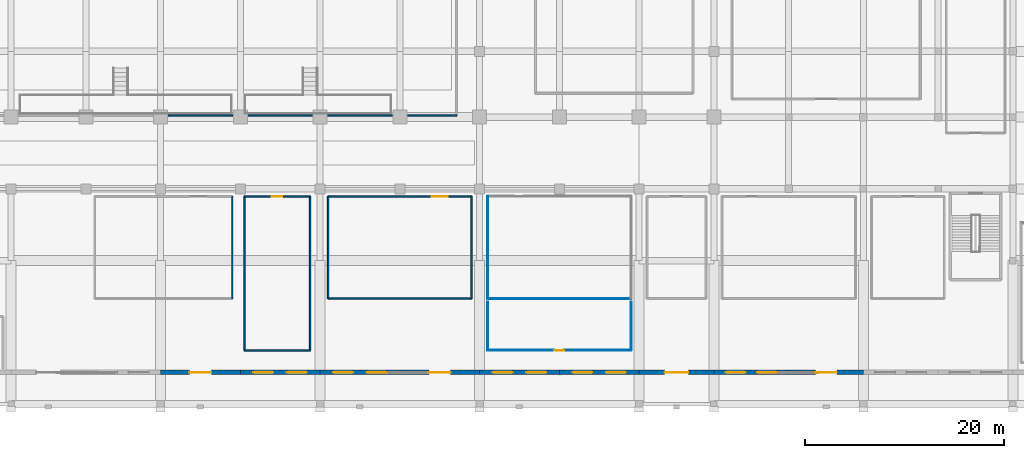
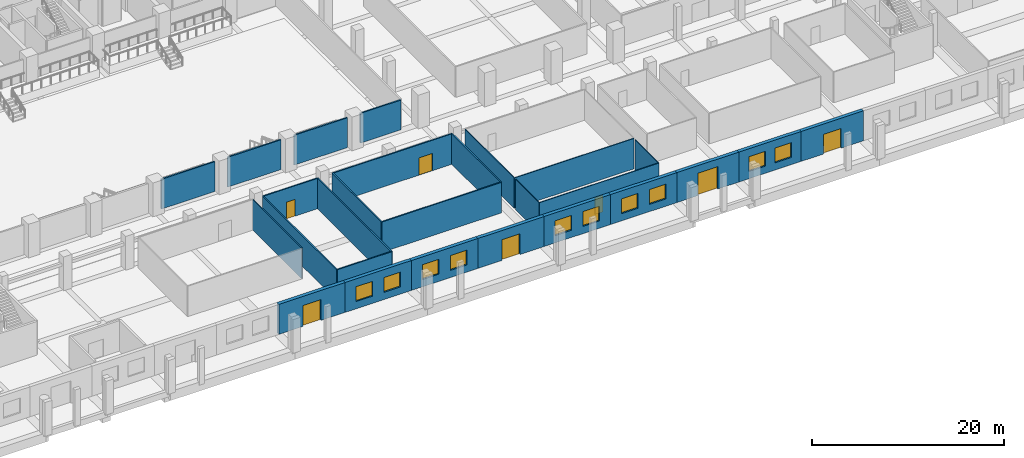
# One storey, part 13 of 33: 27 walls, 10 windows, 7 doors, 17 openings.
"""IFC4 building model written with IfcOpenShell, lengths in metres."""

from ifc_helpers import new_model, si_unit, direction, frame, frame_2d, origin, place, context, subcontext, project, spatial, rectangle, extrude, material, layer, layer_set, type_object, element, fill, save


model = new_model("IFC4")

# Units and contexts
model_context = context("Model", 3, precision=1e-05, world=origin(), true_north=direction((0.0, 1.0)))
body_context = subcontext(model_context, "Body", "Model", "MODEL_VIEW")
ifc_project = project(units=[si_unit("LENGTHUNIT", "METRE"), si_unit("AREAUNIT", "SQUARE_METRE"), si_unit("VOLUMEUNIT", "CUBIC_METRE"), si_unit("PLANEANGLEUNIT", "RADIAN"), si_unit("MASSUNIT", "GRAM", prefix="KILO")], contexts=[model_context])

# Site, building, storey
site_placement = place(None, origin())
site = spatial("IfcSite", under=ifc_project, at=site_placement, CompositionType="ELEMENT")
building_placement = place(site_placement, origin())
building = spatial("IfcBuilding", under=site, at=building_placement, Name="Akrevak Sports Hall", CompositionType="ELEMENT")
storey_placement = place(building_placement, origin())
storey = spatial("IfcBuildingStorey", under=building, at=storey_placement, Name="L00", CompositionType="ELEMENT", Elevation=0.0)

# Wall, opening, door
ifc_material_1 = material(Name="Limestone Ashlar", Category="stone")
ifc_layer_1 = layer(ifc_material_1, 0.090087890625, Name="Limestone Ashlar")
ifc_material_2 = material(Name="Mineral Wool Thermal Insulation", Category="insulation")
ifc_layer_2 = layer(ifc_material_2, 0.110107421875, Name="Mineral Wool Thermal Insulation")
ifc_material_3 = material(Name="Concrete C40/50", Category="concrete")
ifc_layer_3 = layer(ifc_material_3, 0.219970703125, Name="Concrete C40/50")
ifc_layer_set_1 = layer_set([ifc_layer_1, ifc_layer_2, ifc_layer_3], Name="Limestone Ashlar / Mineral Wool Thermal Insulation / Concrete C40/50")
wall_type_1 = type_object("IfcWallType", Name="ARC-WL-EXT-420", PredefinedType="SOLIDWALL", material=ifc_layer_set_1)
wall_1_placement = place(storey_placement, frame((60.0, 3.199951171875, 0.0), z_axis=(0.0, 0.0, 1.0), x_axis=(1.0, 0.0, 0.0)))
wall_1 = element("IfcWall", 1, at=wall_1_placement, inside=storey, type_object=wall_type_1, Name="South Street Arcade Limestone Wall L00-S07", PredefinedType="SOLIDWALL", context=body_context, shape_type="SweptSolid", body=[
    extrude(rectangle(XDim=8.0, YDim=0.419921875, at=frame_2d((4.0, 0.0))), origin(), (0.0, 0.0, 1.0), 3.820068359375),
])
opening_1_placement = place(wall_1_placement, frame((2.89990234375, 0.0, 0.0)))
opening_1 = element("IfcOpeningElement", 2, at=opening_1_placement, cuts=wall_1, Name="Opening ED-02", PredefinedType="OPENING", context=body_context, shape_type="SweptSolid", body=[
    extrude(rectangle(XDim=2.199951171875, YDim=2.64990234375, at=frame_2d((1.10009765625, 1.324951171875))), frame((0.0, 0.221923828125, 0.0), z_axis=(0.0, -1.0, 0.0), x_axis=(1.0, 0.0, 0.0)), (0.0, 0.0, 1.0), 0.44384765625),
])
ifc_material_4 = material(Name="Anodized Bronze Aluminium & Tempered Glass", Category="aluminium")
door_type_1 = type_object("IfcDoorType", Name="ARC-DR-EXT-220x245", OperationType="DOUBLE_DOOR_SINGLE_SWING", PredefinedType="DOOR", material=ifc_material_4)
door_1_placement = place(opening_1_placement, frame((2.199951171875, 0.0, 0.0), z_axis=(0.0, 0.0, 1.0), x_axis=(-1.0, 0.0, 0.0)))
door_1 = element("IfcDoor", 3, at=door_1_placement, inside=storey, type_object=door_type_1, Name="Sports Clinic Arcade Entrance ED03", OperationType="DOUBLE_DOOR_SINGLE_SWING", OverallHeight=2.64990234375, OverallWidth=2.199951171875, PredefinedType="DOOR", context=body_context, shape_type="SweptSolid", body=[
    extrude(rectangle(XDim=2.199951171875, YDim=2.64990234375, at=frame_2d((1.10009765625, 1.324951171875))), frame((0.0, 0.02490234375, 0.0), z_axis=(0.0, -1.0, 0.0), x_axis=(1.0, 0.0, 0.0)), (0.0, 0.0, 1.0), 0.050048828125),
])
fill(opening_1, door_1)

# Wall, openings, windows
wall_2_placement = place(storey_placement, frame((68.0, 3.199951171875, 0.0), z_axis=(0.0, 0.0, 1.0), x_axis=(1.0, 0.0, 0.0)))
wall_2 = element("IfcWall", 4, at=wall_2_placement, inside=storey, type_object=wall_type_1, Name="South Street Arcade Limestone Wall L00-S08", PredefinedType="SOLIDWALL", context=body_context, shape_type="SweptSolid", body=[
    extrude(rectangle(XDim=8.0, YDim=0.419921875, at=frame_2d((4.0, 0.0))), origin(), (0.0, 0.0, 1.0), 3.820068359375),
])
opening_2_placement = place(wall_2_placement, frame((1.320068359375, 0.0, 0.919921875)))
opening_2 = element("IfcOpeningElement", 5, at=opening_2_placement, cuts=wall_2, Name="Opening WN-28", PredefinedType="OPENING", context=body_context, shape_type="SweptSolid", body=[
    extrude(rectangle(XDim=2.0, YDim=1.889892578125, at=frame_2d((1.0, 0.94482421875))), frame((0.0, 0.221923828125, 0.0), z_axis=(0.0, -1.0, 0.0), x_axis=(1.0, 0.0, 0.0)), (0.0, 0.0, 1.0), 0.44384765625),
])
opening_3_placement = place(wall_2_placement, frame((4.679931640625, 0.0, 0.919921875)))
opening_3 = element("IfcOpeningElement", 6, at=opening_3_placement, cuts=wall_2, Name="Opening WN-28", PredefinedType="OPENING", context=body_context, shape_type="SweptSolid", body=[
    extrude(rectangle(XDim=2.0, YDim=1.889892578125, at=frame_2d((1.0, 0.94482421875))), frame((0.0, 0.221923828125, 0.0), z_axis=(0.0, -1.0, 0.0), x_axis=(1.0, 0.0, 0.0)), (0.0, 0.0, 1.0), 0.44384765625),
])
ifc_material_5 = material(Name="Thermally Broken Bronze Frame & Double Low-E Glass", Category="glass")
window_type = type_object("IfcWindowType", Name="ARC-WIN-SZ-2000x1890", PartitioningType="SINGLE_PANEL", PredefinedType="WINDOW", material=ifc_material_5)
window_1_placement = place(opening_2_placement, origin())
window_1 = element("IfcWindow", 7, at=window_1_placement, inside=storey, type_object=window_type, Name="Beaux-Arts Facade Window WIN-L00-S08-1", OverallHeight=1.889892578125, OverallWidth=2.0, PartitioningType="SINGLE_PANEL", PredefinedType="WINDOW", context=body_context, shape_type="SweptSolid", body=[
    extrude(rectangle(XDim=2.0, YDim=1.889892578125, at=frame_2d((1.0, 0.94482421875))), frame((0.0, 0.030029296875, 0.0), z_axis=(0.0, -1.0, 0.0), x_axis=(1.0, 0.0, 0.0)), (0.0, 0.0, 1.0), 0.06005859375),
])
fill(opening_2, window_1)
window_2_placement = place(opening_3_placement, origin())
window_2 = element("IfcWindow", 8, at=window_2_placement, inside=storey, type_object=window_type, Name="Beaux-Arts Facade Window WIN-L00-S08-2", OverallHeight=1.889892578125, OverallWidth=2.0, PartitioningType="SINGLE_PANEL", PredefinedType="WINDOW", context=body_context, shape_type="SweptSolid", body=[
    extrude(rectangle(XDim=2.0, YDim=1.889892578125, at=frame_2d((1.0, 0.94482421875))), frame((0.0, 0.030029296875, 0.0), z_axis=(0.0, -1.0, 0.0), x_axis=(1.0, 0.0, 0.0)), (0.0, 0.0, 1.0), 0.06005859375),
])
fill(opening_3, window_2)

wall_3_placement = place(storey_placement, frame((76.0, 3.199951171875, 0.0), z_axis=(0.0, 0.0, 1.0), x_axis=(1.0, 0.0, 0.0)))
wall_3 = element("IfcWall", 9, at=wall_3_placement, inside=storey, type_object=wall_type_1, Name="South Street Arcade Limestone Wall L00-S09", PredefinedType="SOLIDWALL", context=body_context, shape_type="SweptSolid", body=[
    extrude(rectangle(XDim=8.0, YDim=0.419921875, at=frame_2d((4.0, 0.0))), origin(), (0.0, 0.0, 1.0), 3.820068359375),
])
opening_4_placement = place(wall_3_placement, frame((1.320068359375, 0.0, 0.919921875)))
opening_4 = element("IfcOpeningElement", 10, at=opening_4_placement, cuts=wall_3, Name="Opening WN-28", PredefinedType="OPENING", context=body_context, shape_type="SweptSolid", body=[
    extrude(rectangle(XDim=2.0, YDim=1.889892578125, at=frame_2d((1.0, 0.94482421875))), frame((0.0, 0.221923828125, 0.0), z_axis=(0.0, -1.0, 0.0), x_axis=(1.0, 0.0, 0.0)), (0.0, 0.0, 1.0), 0.44384765625),
])
opening_5_placement = place(wall_3_placement, frame((4.679931640625, 0.0, 0.919921875)))
opening_5 = element("IfcOpeningElement", 11, at=opening_5_placement, cuts=wall_3, Name="Opening WN-28", PredefinedType="OPENING", context=body_context, shape_type="SweptSolid", body=[
    extrude(rectangle(XDim=2.0, YDim=1.889892578125, at=frame_2d((1.0, 0.94482421875))), frame((0.0, 0.221923828125, 0.0), z_axis=(0.0, -1.0, 0.0), x_axis=(1.0, 0.0, 0.0)), (0.0, 0.0, 1.0), 0.44384765625),
])
window_3_placement = place(opening_4_placement, origin())
window_3 = element("IfcWindow", 12, at=window_3_placement, inside=storey, type_object=window_type, Name="Beaux-Arts Facade Window WIN-L00-S09-1", OverallHeight=1.889892578125, OverallWidth=2.0, PartitioningType="SINGLE_PANEL", PredefinedType="WINDOW", context=body_context, shape_type="SweptSolid", body=[
    extrude(rectangle(XDim=2.0, YDim=1.889892578125, at=frame_2d((1.0, 0.94482421875))), frame((0.0, 0.030029296875, 0.0), z_axis=(0.0, -1.0, 0.0), x_axis=(1.0, 0.0, 0.0)), (0.0, 0.0, 1.0), 0.06005859375),
])
fill(opening_4, window_3)
window_4_placement = place(opening_5_placement, origin())
window_4 = element("IfcWindow", 13, at=window_4_placement, inside=storey, type_object=window_type, Name="Beaux-Arts Facade Window WIN-L00-S09-2", OverallHeight=1.889892578125, OverallWidth=2.0, PartitioningType="SINGLE_PANEL", PredefinedType="WINDOW", context=body_context, shape_type="SweptSolid", body=[
    extrude(rectangle(XDim=2.0, YDim=1.889892578125, at=frame_2d((1.0, 0.94482421875))), frame((0.0, 0.030029296875, 0.0), z_axis=(0.0, -1.0, 0.0), x_axis=(1.0, 0.0, 0.0)), (0.0, 0.0, 1.0), 0.06005859375),
])
fill(opening_5, window_4)

# Wall, opening, door
wall_4_placement = place(storey_placement, frame((84.0, 3.199951171875, 0.0), z_axis=(0.0, 0.0, 1.0), x_axis=(1.0, 0.0, 0.0)))
wall_4 = element("IfcWall", 14, at=wall_4_placement, inside=storey, type_object=wall_type_1, Name="South Street Arcade Limestone Wall L00-S10", PredefinedType="SOLIDWALL", context=body_context, shape_type="SweptSolid", body=[
    extrude(rectangle(XDim=8.0, YDim=0.419921875, at=frame_2d((4.0, 0.0))), origin(), (0.0, 0.0, 1.0), 3.820068359375),
])
opening_6_placement = place(wall_4_placement, frame((2.89990234375, 0.0, 0.0)))
opening_6 = element("IfcOpeningElement", 15, at=opening_6_placement, cuts=wall_4, Name="Opening ED-02", PredefinedType="OPENING", context=body_context, shape_type="SweptSolid", body=[
    extrude(rectangle(XDim=2.199951171875, YDim=2.64990234375, at=frame_2d((1.10009765625, 1.324951171875))), frame((0.0, 0.221923828125, 0.0), z_axis=(0.0, -1.0, 0.0), x_axis=(1.0, 0.0, 0.0)), (0.0, 0.0, 1.0), 0.44384765625),
])
door_2_placement = place(opening_6_placement, frame((2.199951171875, 0.0, 0.0), z_axis=(0.0, 0.0, 1.0), x_axis=(-1.0, 0.0, 0.0)))
door_2 = element("IfcDoor", 16, at=door_2_placement, inside=storey, type_object=door_type_1, Name="Arena South Arcade Exit ED04", OperationType="DOUBLE_DOOR_SINGLE_SWING", OverallHeight=2.64990234375, OverallWidth=2.199951171875, PredefinedType="DOOR", context=body_context, shape_type="SweptSolid", body=[
    extrude(rectangle(XDim=2.199951171875, YDim=2.64990234375, at=frame_2d((1.10009765625, 1.324951171875))), frame((0.0, 0.02490234375, 0.0), z_axis=(0.0, -1.0, 0.0), x_axis=(1.0, 0.0, 0.0)), (0.0, 0.0, 1.0), 0.050048828125),
])
fill(opening_6, door_2)

# Wall, openings, windows
wall_5_placement = place(storey_placement, frame((92.0, 3.199951171875, 0.0), z_axis=(0.0, 0.0, 1.0), x_axis=(1.0, 0.0, 0.0)))
wall_5 = element("IfcWall", 17, at=wall_5_placement, inside=storey, type_object=wall_type_1, Name="South Street Arcade Limestone Wall L00-S11", PredefinedType="SOLIDWALL", context=body_context, shape_type="SweptSolid", body=[
    extrude(rectangle(XDim=8.0, YDim=0.419921875, at=frame_2d((4.0, 0.0))), origin(), (0.0, 0.0, 1.0), 3.820068359375),
])
opening_7_placement = place(wall_5_placement, frame((1.320068359375, 0.0, 0.919921875)))
opening_7 = element("IfcOpeningElement", 18, at=opening_7_placement, cuts=wall_5, Name="Opening WN-28", PredefinedType="OPENING", context=body_context, shape_type="SweptSolid", body=[
    extrude(rectangle(XDim=2.0, YDim=1.889892578125, at=frame_2d((1.0, 0.94482421875))), frame((0.0, 0.221923828125, 0.0), z_axis=(0.0, -1.0, 0.0), x_axis=(1.0, 0.0, 0.0)), (0.0, 0.0, 1.0), 0.44384765625),
])
opening_8_placement = place(wall_5_placement, frame((4.679931640625, 0.0, 0.919921875)))
opening_8 = element("IfcOpeningElement", 19, at=opening_8_placement, cuts=wall_5, Name="Opening WN-28", PredefinedType="OPENING", context=body_context, shape_type="SweptSolid", body=[
    extrude(rectangle(XDim=2.0, YDim=1.889892578125, at=frame_2d((1.0, 0.94482421875))), frame((0.0, 0.221923828125, 0.0), z_axis=(0.0, -1.0, 0.0), x_axis=(1.0, 0.0, 0.0)), (0.0, 0.0, 1.0), 0.44384765625),
])
window_5_placement = place(opening_7_placement, origin())
window_5 = element("IfcWindow", 20, at=window_5_placement, inside=storey, type_object=window_type, Name="Beaux-Arts Facade Window WIN-L00-S11-1", OverallHeight=1.889892578125, OverallWidth=2.0, PartitioningType="SINGLE_PANEL", PredefinedType="WINDOW", context=body_context, shape_type="SweptSolid", body=[
    extrude(rectangle(XDim=2.0, YDim=1.889892578125, at=frame_2d((1.0, 0.94482421875))), frame((0.0, 0.030029296875, 0.0), z_axis=(0.0, -1.0, 0.0), x_axis=(1.0, 0.0, 0.0)), (0.0, 0.0, 1.0), 0.06005859375),
])
fill(opening_7, window_5)
window_6_placement = place(opening_8_placement, origin())
window_6 = element("IfcWindow", 21, at=window_6_placement, inside=storey, type_object=window_type, Name="Beaux-Arts Facade Window WIN-L00-S11-2", OverallHeight=1.889892578125, OverallWidth=2.0, PartitioningType="SINGLE_PANEL", PredefinedType="WINDOW", context=body_context, shape_type="SweptSolid", body=[
    extrude(rectangle(XDim=2.0, YDim=1.889892578125, at=frame_2d((1.0, 0.94482421875))), frame((0.0, 0.030029296875, 0.0), z_axis=(0.0, -1.0, 0.0), x_axis=(1.0, 0.0, 0.0)), (0.0, 0.0, 1.0), 0.06005859375),
])
fill(opening_8, window_6)

wall_6_placement = place(storey_placement, frame((100.0, 3.199951171875, 0.0), z_axis=(0.0, 0.0, 1.0), x_axis=(1.0, 0.0, 0.0)))
wall_6 = element("IfcWall", 22, at=wall_6_placement, inside=storey, type_object=wall_type_1, Name="South Street Arcade Limestone Wall L00-S12", PredefinedType="SOLIDWALL", context=body_context, shape_type="SweptSolid", body=[
    extrude(rectangle(XDim=8.0, YDim=0.419921875, at=frame_2d((4.0, 0.0))), origin(), (0.0, 0.0, 1.0), 3.820068359375),
])
opening_9_placement = place(wall_6_placement, frame((1.320068359375, 0.0, 0.919921875)))
opening_9 = element("IfcOpeningElement", 23, at=opening_9_placement, cuts=wall_6, Name="Opening WN-28", PredefinedType="OPENING", context=body_context, shape_type="SweptSolid", body=[
    extrude(rectangle(XDim=2.0, YDim=1.889892578125, at=frame_2d((1.0, 0.94482421875))), frame((0.0, 0.221923828125, 0.0), z_axis=(0.0, -1.0, 0.0), x_axis=(1.0, 0.0, 0.0)), (0.0, 0.0, 1.0), 0.44384765625),
])
opening_10_placement = place(wall_6_placement, frame((4.679931640625, 0.0, 0.919921875)))
opening_10 = element("IfcOpeningElement", 24, at=opening_10_placement, cuts=wall_6, Name="Opening WN-28", PredefinedType="OPENING", context=body_context, shape_type="SweptSolid", body=[
    extrude(rectangle(XDim=2.0, YDim=1.889892578125, at=frame_2d((1.0, 0.94482421875))), frame((0.0, 0.221923828125, 0.0), z_axis=(0.0, -1.0, 0.0), x_axis=(1.0, 0.0, 0.0)), (0.0, 0.0, 1.0), 0.44384765625),
])
window_7_placement = place(opening_9_placement, origin())
window_7 = element("IfcWindow", 25, at=window_7_placement, inside=storey, type_object=window_type, Name="Beaux-Arts Facade Window WIN-L00-S12-1", OverallHeight=1.889892578125, OverallWidth=2.0, PartitioningType="SINGLE_PANEL", PredefinedType="WINDOW", context=body_context, shape_type="SweptSolid", body=[
    extrude(rectangle(XDim=2.0, YDim=1.889892578125, at=frame_2d((1.0, 0.94482421875))), frame((0.0, 0.030029296875, 0.0), z_axis=(0.0, -1.0, 0.0), x_axis=(1.0, 0.0, 0.0)), (0.0, 0.0, 1.0), 0.06005859375),
])
fill(opening_9, window_7)
window_8_placement = place(opening_10_placement, origin())
window_8 = element("IfcWindow", 26, at=window_8_placement, inside=storey, type_object=window_type, Name="Beaux-Arts Facade Window WIN-L00-S12-2", OverallHeight=1.889892578125, OverallWidth=2.0, PartitioningType="SINGLE_PANEL", PredefinedType="WINDOW", context=body_context, shape_type="SweptSolid", body=[
    extrude(rectangle(XDim=2.0, YDim=1.889892578125, at=frame_2d((1.0, 0.94482421875))), frame((0.0, 0.030029296875, 0.0), z_axis=(0.0, -1.0, 0.0), x_axis=(1.0, 0.0, 0.0)), (0.0, 0.0, 1.0), 0.06005859375),
])
fill(opening_10, window_8)

# Wall, opening, door
wall_7_placement = place(storey_placement, frame((108.0, 3.199951171875, 0.0), z_axis=(0.0, 0.0, 1.0), x_axis=(1.0, 0.0, 0.0)))
wall_7 = element("IfcWall", 27, at=wall_7_placement, inside=storey, type_object=wall_type_1, Name="South Street Arcade Limestone Wall L00-S13", PredefinedType="SOLIDWALL", context=body_context, shape_type="SweptSolid", body=[
    extrude(rectangle(XDim=7.5, YDim=0.419921875, at=frame_2d((3.75, 0.0))), origin(), (0.0, 0.0, 1.0), 3.820068359375),
])
opening_11_placement = place(wall_7_placement, frame((2.550048828125, 0.0, 0.0)))
opening_11 = element("IfcOpeningElement", 28, at=opening_11_placement, cuts=wall_7, Name="Opening ED-01", PredefinedType="OPENING", context=body_context, shape_type="SweptSolid", body=[
    extrude(rectangle(XDim=2.39990234375, YDim=2.85009765625, at=frame_2d((1.199951171875, 1.425048828125))), frame((0.0, 0.221923828125, 0.0), z_axis=(0.0, -1.0, 0.0), x_axis=(1.0, 0.0, 0.0)), (0.0, 0.0, 1.0), 0.44384765625),
])
door_type_2 = type_object("IfcDoorType", Name="ARC-DR-EXT-240x260", OperationType="DOUBLE_DOOR_SINGLE_SWING", PredefinedType="DOOR", material=ifc_material_4)
door_3_placement = place(opening_11_placement, frame((2.39990234375, 0.0, 0.0), z_axis=(0.0, 0.0, 1.0), x_axis=(-1.0, 0.0, 0.0)))
door_3 = element("IfcDoor", 29, at=door_3_placement, inside=storey, type_object=door_type_2, Name="South-East Arcade Promenade Exit ED12", OperationType="DOUBLE_DOOR_SINGLE_SWING", OverallHeight=2.85009765625, OverallWidth=2.39990234375, PredefinedType="DOOR", context=body_context, shape_type="SweptSolid", body=[
    extrude(rectangle(XDim=2.39990234375, YDim=2.85009765625, at=frame_2d((1.199951171875, 1.425048828125))), frame((0.0, 0.02490234375, 0.0), z_axis=(0.0, -1.0, 0.0), x_axis=(1.0, 0.0, 0.0)), (0.0, 0.0, 1.0), 0.050048828125),
])
fill(opening_11, door_3)

# Wall, openings, windows
wall_8_placement = place(storey_placement, frame((115.5, 3.199951171875, 0.0), z_axis=(0.0, 0.0, 1.0), x_axis=(1.0, 0.0, 0.0)))
wall_8 = element("IfcWall", 30, at=wall_8_placement, inside=storey, type_object=wall_type_1, Name="South Street Arcade Limestone Wall L00-S14", PredefinedType="SOLIDWALL", context=body_context, shape_type="SweptSolid", body=[
    extrude(rectangle(XDim=7.5, YDim=0.419921875, at=frame_2d((3.75, 0.0))), origin(), (0.0, 0.0, 1.0), 3.820068359375),
])
opening_12_placement = place(wall_8_placement, frame((1.175048828125, 0.0, 0.919921875)))
opening_12 = element("IfcOpeningElement", 31, at=opening_12_placement, cuts=wall_8, Name="Opening WN-28", PredefinedType="OPENING", context=body_context, shape_type="SweptSolid", body=[
    extrude(rectangle(XDim=2.0, YDim=1.889892578125, at=frame_2d((1.0, 0.94482421875))), frame((0.0, 0.221923828125, 0.0), z_axis=(0.0, -1.0, 0.0), x_axis=(1.0, 0.0, 0.0)), (0.0, 0.0, 1.0), 0.44384765625),
])
opening_13_placement = place(wall_8_placement, frame((4.324951171875, 0.0, 0.919921875)))
opening_13 = element("IfcOpeningElement", 32, at=opening_13_placement, cuts=wall_8, Name="Opening WN-28", PredefinedType="OPENING", context=body_context, shape_type="SweptSolid", body=[
    extrude(rectangle(XDim=2.0, YDim=1.889892578125, at=frame_2d((1.0, 0.94482421875))), frame((0.0, 0.221923828125, 0.0), z_axis=(0.0, -1.0, 0.0), x_axis=(1.0, 0.0, 0.0)), (0.0, 0.0, 1.0), 0.44384765625),
])
window_9_placement = place(opening_12_placement, origin())
window_9 = element("IfcWindow", 33, at=window_9_placement, inside=storey, type_object=window_type, Name="Beaux-Arts Facade Window WIN-L00-S14-1", OverallHeight=1.889892578125, OverallWidth=2.0, PartitioningType="SINGLE_PANEL", PredefinedType="WINDOW", context=body_context, shape_type="SweptSolid", body=[
    extrude(rectangle(XDim=2.0, YDim=1.889892578125, at=frame_2d((1.0, 0.94482421875))), frame((0.0, 0.030029296875, 0.0), z_axis=(0.0, -1.0, 0.0), x_axis=(1.0, 0.0, 0.0)), (0.0, 0.0, 1.0), 0.06005859375),
])
fill(opening_12, window_9)
window_10_placement = place(opening_13_placement, origin())
window_10 = element("IfcWindow", 34, at=window_10_placement, inside=storey, type_object=window_type, Name="Beaux-Arts Facade Window WIN-L00-S14-2", OverallHeight=1.889892578125, OverallWidth=2.0, PartitioningType="SINGLE_PANEL", PredefinedType="WINDOW", context=body_context, shape_type="SweptSolid", body=[
    extrude(rectangle(XDim=2.0, YDim=1.889892578125, at=frame_2d((1.0, 0.94482421875))), frame((0.0, 0.030029296875, 0.0), z_axis=(0.0, -1.0, 0.0), x_axis=(1.0, 0.0, 0.0)), (0.0, 0.0, 1.0), 0.06005859375),
])
fill(opening_13, window_10)

# Wall, opening, door
wall_9_placement = place(storey_placement, frame((123.0, 3.199951171875, 0.0), z_axis=(0.0, 0.0, 1.0), x_axis=(1.0, 0.0, 0.0)))
wall_9 = element("IfcWall", 35, at=wall_9_placement, inside=storey, type_object=wall_type_1, Name="South Street Arcade Limestone Wall L00-S15", PredefinedType="SOLIDWALL", context=body_context, shape_type="SweptSolid", body=[
    extrude(rectangle(XDim=7.5, YDim=0.419921875, at=frame_2d((3.75, 0.0))), origin(), (0.0, 0.0, 1.0), 3.820068359375),
])
opening_14_placement = place(wall_9_placement, frame((2.675048828125, 0.0, 0.0)))
opening_14 = element("IfcOpeningElement", 36, at=opening_14_placement, cuts=wall_9, Name="Opening ED-03", PredefinedType="OPENING", context=body_context, shape_type="SweptSolid", body=[
    extrude(rectangle(XDim=2.14990234375, YDim=2.5, at=frame_2d((1.074951171875, 1.25))), frame((0.0, 0.221923828125, 0.0), z_axis=(0.0, -1.0, 0.0), x_axis=(1.0, 0.0, 0.0)), (0.0, 0.0, 1.0), 0.44384765625),
])
door_type_3 = type_object("IfcDoorType", Name="ARC-DR-EXT-200x235", OperationType="DOUBLE_DOOR_SINGLE_SWING", PredefinedType="DOOR", material=ifc_material_4)
door_4_placement = place(opening_14_placement, frame((2.14990234375, 0.0, 0.0), z_axis=(0.0, 0.0, 1.0), x_axis=(-1.0, 0.0, 0.0)))
door_4 = element("IfcDoor", 37, at=door_4_placement, inside=storey, type_object=door_type_3, Name="Climbing Hall South Arcade Exit ED05", OperationType="DOUBLE_DOOR_SINGLE_SWING", OverallHeight=2.5, OverallWidth=2.14990234375, PredefinedType="DOOR", context=body_context, shape_type="SweptSolid", body=[
    extrude(rectangle(XDim=2.14990234375, YDim=2.5, at=frame_2d((1.074951171875, 1.25))), frame((0.0, 0.02490234375, 0.0), z_axis=(0.0, -1.0, 0.0), x_axis=(1.0, 0.0, 0.0)), (0.0, 0.0, 1.0), 0.050048828125),
])
fill(opening_14, door_4)

# Walls
ifc_material_6 = material(Name="Sanitary Cubicle Partition", Category="gypsum")
ifc_layer_4 = layer(ifc_material_6, 0.10009765625, Name="Sanitary Cubicle Partition")
ifc_layer_set_2 = layer_set([ifc_layer_4], Name="Sanitary Cubicle Partition")
wall_type_2 = type_object("IfcWallType", Name="ARC-WL-PRT-100", PredefinedType="PARTITIONING", material=ifc_layer_set_2)
wall_10_placement = place(storey_placement, frame((92.800048828125, 10.60009765625, 0.0), z_axis=(0.0, 0.0, 1.0), x_axis=(1.0, 0.0, 0.0)))
element("IfcWall", 38, at=wall_10_placement, inside=storey, type_object=wall_type_2, Name="Interior Partition Sports Clinic Orthopedic & Doping Control (S)", PredefinedType="PARTITIONING", context=body_context, shape_type="SweptSolid", body=[
    extrude(rectangle(XDim=14.39990234375, YDim=0.10009765625, at=frame_2d((7.199951171875, 0.0))), origin(), (0.0, 0.0, 1.0), 3.8798828125),
])
wall_11_placement = place(storey_placement, frame((92.800048828125, 10.60009765625, 0.0), z_axis=(0.0, 0.0, 1.0), x_axis=(0.0, 1.0, 0.0)))
element("IfcWall", 39, at=wall_11_placement, inside=storey, type_object=wall_type_2, Name="Interior Partition Sports Clinic Orthopedic & Doping Control (W)", PredefinedType="PARTITIONING", context=body_context, shape_type="SweptSolid", body=[
    extrude(rectangle(XDim=10.25, YDim=0.10009765625, at=frame_2d((5.125, 0.0))), origin(), (0.0, 0.0, 1.0), 3.8798828125),
])

# Wall, opening, door
wall_12_placement = place(storey_placement, frame((92.800048828125, 5.39990234375, 0.0), z_axis=(0.0, 0.0, 1.0), x_axis=(1.0, 0.0, 0.0)))
wall_12 = element("IfcWall", 40, at=wall_12_placement, inside=storey, type_object=wall_type_2, Name="Interior Partition South Boulevard Doping & Diagnostics Clinic L00 (S)", PredefinedType="PARTITIONING", context=body_context, shape_type="SweptSolid", body=[
    extrude(rectangle(XDim=14.39990234375, YDim=0.10009765625, at=frame_2d((7.199951171875, 0.0))), origin(), (0.0, 0.0, 1.0), 3.8798828125),
])
opening_15_placement = place(wall_12_placement, frame((6.699951171875, 0.0, 0.0)))
opening_15 = element("IfcOpeningElement", 41, at=opening_15_placement, cuts=wall_12, Name="Opening ID-06", PredefinedType="OPENING", context=body_context, shape_type="SweptSolid", body=[
    extrude(rectangle(XDim=1.0, YDim=2.14990234375, at=frame_2d((0.5, 1.074951171875))), frame((0.0, 0.06201171875, 0.0), z_axis=(0.0, -1.0, 0.0), x_axis=(1.0, 0.0, 0.0)), (0.0, 0.0, 1.0), 0.1240234375),
])
ifc_material_7 = material(Name="Hardwood Oak Acoustic Leaf", Category="wood")
door_type_4 = type_object("IfcDoorType", Name="ARC-DR-OFF-100x215", OperationType="NOTDEFINED", PredefinedType="DOOR", material=ifc_material_7)
door_5_placement = place(opening_15_placement, frame((1.0, 0.0, 0.0), z_axis=(0.0, 0.0, 1.0), x_axis=(-1.0, 0.0, 0.0)))
door_5 = element("IfcDoor", 42, at=door_5_placement, inside=storey, type_object=door_type_4, Name="Door to South Boulevard Doping & Diagnostics Clinic L00", OperationType="SINGLE_SWING_RIGHT", OverallHeight=2.14990234375, OverallWidth=1.0, PredefinedType="DOOR", context=body_context, shape_type="SweptSolid", body=[
    extrude(rectangle(XDim=1.0, YDim=2.14990234375, at=frame_2d((0.5, 1.074951171875))), frame((0.0, 0.02490234375, 0.0), z_axis=(0.0, -1.0, 0.0), x_axis=(1.0, 0.0, 0.0)), (0.0, 0.0, 1.0), 0.050048828125),
])
fill(opening_15, door_5)

# Walls
for number, where, z_axis, x_axis, name in (
    (43, (92.800048828125, 5.39990234375, 0.0), (0.0, 0.0, 1.0), (0.0, 1.0, 0.0), "Interior Partition South Boulevard Doping & Diagnostics Clinic L00 (W)"),
    (44, (107.199951171875, 5.39990234375, 0.0), (0.0, 0.0, 1.0), (0.0, 1.0, 0.0), "Interior Partition South Boulevard Doping & Diagnostics Clinic L00 (E)"),
):
    element("IfcWall", number, at=place(storey_placement, frame(where, z_axis=z_axis, x_axis=x_axis)), inside=storey, type_object=wall_type_2, Name=name, PredefinedType="PARTITIONING", context=body_context, shape_type="SweptSolid", body=[
        extrude(rectangle(XDim=4.900146484375, YDim=0.10009765625, at=frame_2d((2.4501953125, 0.0))), origin(), (0.0, 0.0, 1.0), 3.8798828125),
    ])
ifc_material_8 = material(Name="Acoustic Metal Stud Partition", Category="gypsum")
ifc_layer_5 = layer(ifc_material_8, 0.1298828125, Name="Acoustic Metal Stud Partition")
ifc_layer_set_3 = layer_set([ifc_layer_5], Name="Acoustic Metal Stud Partition")
wall_type_3 = type_object("IfcWallType", Name="ARC-WL-PRT-130", PredefinedType="PARTITIONING", material=ifc_layer_set_3)
wall_13_placement = place(storey_placement, frame((67.199951171875, 10.60009765625, 0.0), z_axis=(0.0, 0.0, 1.0), x_axis=(0.0, 1.0, 0.0)))
element("IfcWall", 45, at=wall_13_placement, inside=storey, type_object=wall_type_3, Name="Interior Partition Sports Clinic Reception & Trauma Triage (E)", PredefinedType="PARTITIONING", context=body_context, shape_type="SweptSolid", body=[
    extrude(rectangle(XDim=10.25, YDim=0.1298828125, at=frame_2d((5.125, 0.0))), origin(), (0.0, 0.0, 1.0), 3.8798828125),
])
ifc_material_9 = material(Name="Double Stud Acoustic Gypsum Partition", Category="gypsum")
ifc_layer_6 = layer(ifc_material_9, 0.14990234375, Name="Double Stud Acoustic Gypsum Partition")
ifc_layer_set_4 = layer_set([ifc_layer_6], Name="Double Stud Acoustic Gypsum Partition")
wall_type_4 = type_object("IfcWallType", Name="ARC-WL-PRT-150", PredefinedType="PARTITIONING", material=ifc_layer_set_4)
wall_14_placement = place(storey_placement, frame((76.800048828125, 10.60009765625, 0.0), z_axis=(0.0, 0.0, 1.0), x_axis=(1.0, 0.0, 0.0)))
element("IfcWall", 46, at=wall_14_placement, inside=storey, type_object=wall_type_4, Name="Interior Partition Sports Clinic Hydrotherapy & Cryo Suite (S)", PredefinedType="PARTITIONING", context=body_context, shape_type="SweptSolid", body=[
    extrude(rectangle(XDim=14.39990234375, YDim=0.14990234375, at=frame_2d((7.199951171875, 0.0))), origin(), (0.0, 0.0, 1.0), 3.8798828125),
])

# Wall, opening, door
wall_15_placement = place(storey_placement, frame((76.800048828125, 20.85009765625, 0.0), z_axis=(0.0, 0.0, 1.0), x_axis=(1.0, 0.0, 0.0)))
wall_15 = element("IfcWall", 47, at=wall_15_placement, inside=storey, type_object=wall_type_4, Name="Interior Partition Sports Clinic Hydrotherapy & Cryo Suite (N)", PredefinedType="PARTITIONING", context=body_context, shape_type="SweptSolid", body=[
    extrude(rectangle(XDim=14.39990234375, YDim=0.14990234375, at=frame_2d((7.199951171875, 0.0))), origin(), (0.0, 0.0, 1.0), 3.8798828125),
])
opening_16_placement = place(wall_15_placement, frame((10.39990234375, 0.0, 0.0)))
opening_16 = element("IfcOpeningElement", 48, at=opening_16_placement, cuts=wall_15, Name="Opening ID-03", PredefinedType="OPENING", context=body_context, shape_type="SweptSolid", body=[
    extrude(rectangle(XDim=1.60009765625, YDim=2.199951171875, at=frame_2d((0.800048828125, 1.10009765625))), frame((0.0, 0.0869140625, 0.0), z_axis=(0.0, -1.0, 0.0), x_axis=(1.0, 0.0, 0.0)), (0.0, 0.0, 1.0), 0.173828125),
])
ifc_material_10 = material(Name="Hardwood Oak & Safety Glass", Category="wood")
door_type_5 = type_object("IfcDoorType", Name="ARC-DR-HALL-160x220", OperationType="DOUBLE_DOOR_SINGLE_SWING", PredefinedType="DOOR", material=ifc_material_10)
door_6_placement = place(opening_16_placement, origin())
door_6 = element("IfcDoor", 49, at=door_6_placement, inside=storey, type_object=door_type_5, Name="Door to Sports Clinic Hydrotherapy & Cryo Suite", OperationType="DOUBLE_DOOR_SINGLE_SWING", OverallHeight=2.199951171875, OverallWidth=1.60009765625, PredefinedType="DOOR", context=body_context, shape_type="SweptSolid", body=[
    extrude(rectangle(XDim=1.60009765625, YDim=2.199951171875, at=frame_2d((0.800048828125, 1.10009765625))), frame((0.0, 0.02490234375, 0.0), z_axis=(0.0, -1.0, 0.0), x_axis=(1.0, 0.0, 0.0)), (0.0, 0.0, 1.0), 0.050048828125),
])
fill(opening_16, door_6)

# Walls
for number, where, z_axis, x_axis, name in (
    (50, (76.800048828125, 10.60009765625, 0.0), (0.0, 0.0, 1.0), (0.0, 1.0, 0.0), "Interior Partition Sports Clinic Hydrotherapy & Cryo Suite (W)"),
    (51, (91.199951171875, 10.60009765625, 0.0), (0.0, 0.0, 1.0), (0.0, 1.0, 0.0), "Interior Partition Sports Clinic Hydrotherapy & Cryo Suite (E)"),
):
    element("IfcWall", number, at=place(storey_placement, frame(where, z_axis=z_axis, x_axis=x_axis)), inside=storey, type_object=wall_type_4, Name=name, PredefinedType="PARTITIONING", context=body_context, shape_type="SweptSolid", body=[
        extrude(rectangle(XDim=10.25, YDim=0.14990234375, at=frame_2d((5.125, 0.0))), origin(), (0.0, 0.0, 1.0), 3.8798828125),
    ])
wall_16_placement = place(storey_placement, frame((68.39990234375, 5.39990234375, 0.0), z_axis=(0.0, 0.0, 1.0), x_axis=(1.0, 0.0, 0.0)))
element("IfcWall", 52, at=wall_16_placement, inside=storey, type_object=wall_type_4, Name="Interior Partition South Boulevard Sports Medicine Room L00 (S)", PredefinedType="PARTITIONING", context=body_context, shape_type="SweptSolid", body=[
    extrude(rectangle(XDim=6.60009765625, YDim=0.14990234375, at=frame_2d((3.300048828125, 0.0))), origin(), (0.0, 0.0, 1.0), 3.8798828125),
])

# Wall, opening, door
wall_17_placement = place(storey_placement, frame((68.39990234375, 20.85009765625, 0.0), z_axis=(0.0, 0.0, 1.0), x_axis=(1.0, 0.0, 0.0)))
wall_17 = element("IfcWall", 53, at=wall_17_placement, inside=storey, type_object=wall_type_4, Name="Interior Partition South Boulevard Sports Medicine Room L00 (N)", PredefinedType="PARTITIONING", context=body_context, shape_type="SweptSolid", body=[
    extrude(rectangle(XDim=6.60009765625, YDim=0.14990234375, at=frame_2d((3.300048828125, 0.0))), origin(), (0.0, 0.0, 1.0), 3.8798828125),
])
opening_17_placement = place(wall_17_placement, frame((2.77490234375, 0.0, 0.0)))
opening_17 = element("IfcOpeningElement", 54, at=opening_17_placement, cuts=wall_17, Name="Opening ID-05", PredefinedType="OPENING", context=body_context, shape_type="SweptSolid", body=[
    extrude(rectangle(XDim=1.050048828125, YDim=2.14990234375, at=frame_2d((0.52490234375, 1.074951171875))), frame((0.0, 0.0869140625, 0.0), z_axis=(0.0, -1.0, 0.0), x_axis=(1.0, 0.0, 0.0)), (0.0, 0.0, 1.0), 0.173828125),
])
door_type_6 = type_object("IfcDoorType", Name="ARC-DR-OFF-105x215", OperationType="NOTDEFINED", PredefinedType="DOOR", material=ifc_material_7)
door_7_placement = place(opening_17_placement, origin())
door_7 = element("IfcDoor", 55, at=door_7_placement, inside=storey, type_object=door_type_6, Name="Door to South Boulevard Sports Medicine Room L00", OperationType="SINGLE_SWING_LEFT", OverallHeight=2.14990234375, OverallWidth=1.050048828125, PredefinedType="DOOR", context=body_context, shape_type="SweptSolid", body=[
    extrude(rectangle(XDim=1.050048828125, YDim=2.14990234375, at=frame_2d((0.52490234375, 1.074951171875))), frame((0.0, 0.02490234375, 0.0), z_axis=(0.0, -1.0, 0.0), x_axis=(1.0, 0.0, 0.0)), (0.0, 0.0, 1.0), 0.050048828125),
])
fill(opening_17, door_7)

# Walls
for number, where, z_axis, x_axis, name in (
    (56, (68.39990234375, 5.39990234375, 0.0), (0.0, 0.0, 1.0), (0.0, 1.0, 0.0), "Interior Partition South Boulevard Sports Medicine Room L00 (W)"),
    (57, (75.0, 5.39990234375, 0.0), (0.0, 0.0, 1.0), (0.0, 1.0, 0.0), "Interior Partition South Boulevard Sports Medicine Room L00 (E)"),
):
    element("IfcWall", number, at=place(storey_placement, frame(where, z_axis=z_axis, x_axis=x_axis)), inside=storey, type_object=wall_type_4, Name=name, PredefinedType="PARTITIONING", context=body_context, shape_type="SweptSolid", body=[
        extrude(rectangle(XDim=15.4501953125, YDim=0.14990234375, at=frame_2d((7.72509765625, 0.0))), origin(), (0.0, 0.0, 1.0), 3.8798828125),
    ])
ifc_material_11 = material(Name="Double Stud Fireboard Partition", Category="gypsum")
ifc_layer_7 = layer(ifc_material_11, 0.1650390625, Name="Double Stud Fireboard Partition")
ifc_layer_set_5 = layer_set([ifc_layer_7], Name="Double Stud Fireboard Partition")
wall_type_5 = type_object("IfcWallType", Name="ARC-WL-PRT-165", PredefinedType="PARTITIONING", material=ifc_layer_set_5)
for number, where, z_axis, x_axis, name in (
    (58, (60.780029296875, 28.949951171875, 0.0), (0.0, 0.0, 1.0), (1.0, 0.0, 0.0), "Interior Partition Sports Hall 1 - Handball Court (S) Segment 4"),
    (59, (68.780029296875, 28.949951171875, 0.0), (0.0, 0.0, 1.0), (1.0, 0.0, 0.0), "Interior Partition Sports Hall 1 - Handball Court (S) Segment 5"),
    (60, (76.780029296875, 28.949951171875, 0.0), (0.0, 0.0, 1.0), (1.0, 0.0, 0.0), "Interior Partition Sports Hall 1 - Handball Court (S) Segment 6"),
):
    element("IfcWall", number, at=place(storey_placement, frame(where, z_axis=z_axis, x_axis=x_axis)), inside=storey, type_object=wall_type_5, Name=name, PredefinedType="PARTITIONING", context=body_context, shape_type="SweptSolid", body=[
        extrude(rectangle(XDim=6.43994140625, YDim=0.1650390625, at=frame_2d((3.219970703125, 0.0))), origin(), (0.0, 0.0, 1.0), 3.800048828125),
    ])
wall_18_placement = place(storey_placement, frame((84.780029296875, 28.949951171875, 0.0), z_axis=(0.0, 0.0, 1.0), x_axis=(1.0, 0.0, 0.0)))
element("IfcWall", 61, at=wall_18_placement, inside=storey, type_object=wall_type_5, Name="Interior Partition Sports Hall 1 - Handball Court (S) Segment 7", PredefinedType="PARTITIONING", context=body_context, shape_type="SweptSolid", body=[
    extrude(rectangle(XDim=4.919921875, YDim=0.1650390625, at=frame_2d((2.4599609375, 0.0))), origin(), (0.0, 0.0, 1.0), 3.800048828125),
])

save(model, "model.ifc")
